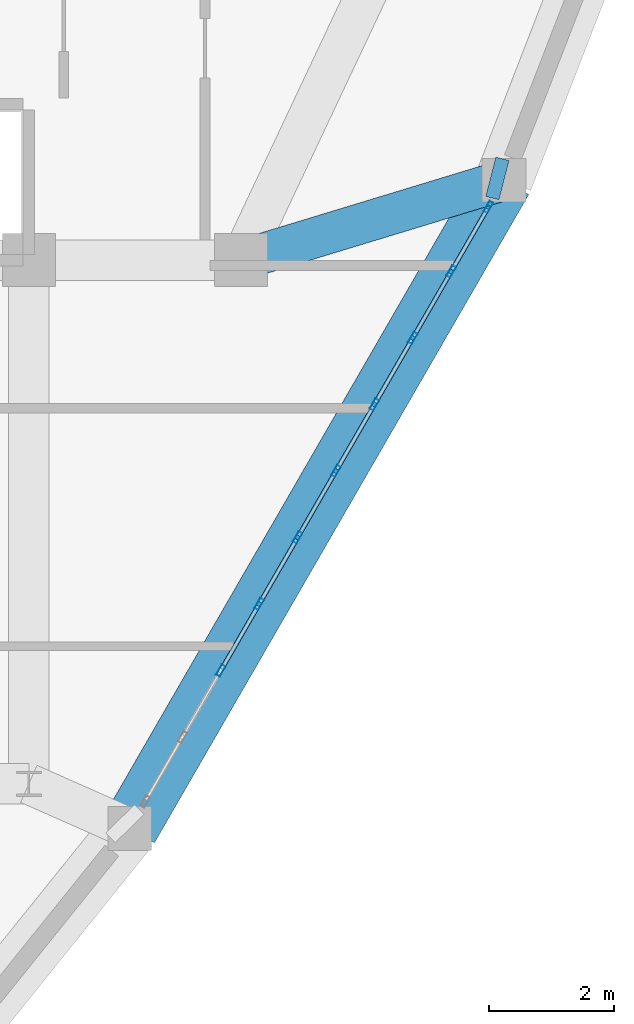
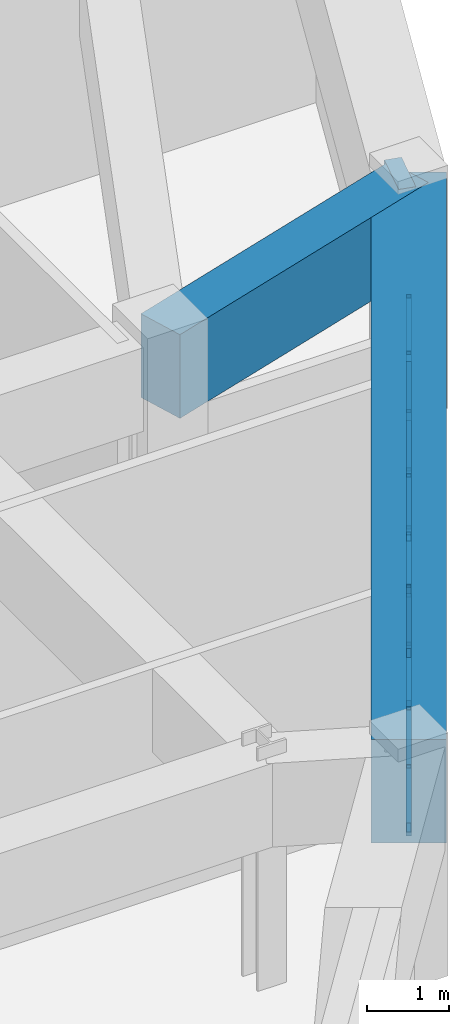
# One storey, part 7 of 15: 24 members, 3 beams, 1 element without a shape of its own.
"""IFC4 building model written with IfcOpenShell, lengths in metres."""

from ifc_helpers import new_model, si_unit, derived_unit, direction, frame, origin, origin_2d, place, context, subcontext, project, spatial, rectangle, hollow_rectangle, extrude, source, transform, mapped, material, layer, layer_set, material_profile, profile_set, type_object, element, aggregate, save


model = new_model("IFC4")

# Units and contexts
model_context = context("Model", 3, precision=1e-05, world=origin(), true_north=direction((0.0, 1.0)))
body_context = subcontext(model_context, "Body", "Model", "MODEL_VIEW")
ifc_project = project(units=[si_unit("LENGTHUNIT", "METRE"), si_unit("AREAUNIT", "SQUARE_METRE"), si_unit("VOLUMEUNIT", "CUBIC_METRE"), si_unit("PLANEANGLEUNIT", "RADIAN"), si_unit("MASSUNIT", "GRAM", prefix="KILO"), derived_unit("THERMALTRANSMITTANCEUNIT", [(si_unit("POWERUNIT", "WATT"), 1), (si_unit("LENGTHUNIT", "METRE"), -2), (si_unit("THERMODYNAMICTEMPERATUREUNIT", "KELVIN"), -1)])], contexts=[model_context])

# Site, building, storey
site_placement = place(None, origin())
site = spatial("IfcSite", under=ifc_project, at=site_placement, CompositionType="ELEMENT")
building_placement = place(site_placement, origin())
building = spatial("IfcBuilding", under=site, at=building_placement, Name="Korsvarv Bourse and Concert Hall", CompositionType="ELEMENT")
storey_placement = place(building_placement, frame((0.0, 0.0, 250.199951171875)))
storey = spatial("IfcBuildingStorey", under=building, at=storey_placement, Name="L65", CompositionType="ELEMENT", Elevation=250.199951171875)

# Beams
ifc_material_1 = material(Name="Concrete C50/60", Category="concrete")
ifc_material_profile_1 = material_profile(ifc_material_1, rectangle(XDim=0.919921875, YDim=1.530029296875, at=origin_2d()), Name="RC-BM 920x1530")
ifc_profile_set_1 = profile_set([ifc_material_profile_1], Name="Concrete C50/60")
beam_type_1 = type_object("IfcBeamType", Name="BM-TR-154", PredefinedType="BEAM", material=ifc_profile_set_1)
shared_shape_1 = source(origin(), body_context, "Body", "SweptSolid", [
    extrude(rectangle(XDim=0.919921875, YDim=1.530029296875, at=origin_2d()), origin(), (0.0, 0.0, 1.0), 12.0087890625),
])
beam_1_placement = place(storey_placement, frame((46.0166015625, 23.28369140625, 2.64501953125), z_axis=(0.500000506726, 0.866025111226, 0.0), x_axis=(-0.866025111226, 0.500000506726, 0.0)))
element("IfcBeam", 1, at=beam_1_placement, inside=storey, type_object=beam_type_1, Name="L65 beam B-TR6", PredefinedType="BEAM", context=body_context, shape_type="MappedRepresentation", body=[
    mapped(shared_shape_1, transform((0.0, 0.0, 0.0), scale=1.0)),
])
ifc_material_profile_2 = material_profile(ifc_material_1, rectangle(XDim=0.64990234375, YDim=1.239990234375, at=origin_2d()), Name="RC-BM 650x1240")
ifc_profile_set_2 = profile_set([ifc_material_profile_2], Name="Concrete C50/60")
beam_type_2 = type_object("IfcBeamType", Name="BM-TR-SPN", PredefinedType="BEAM", material=ifc_profile_set_2)
shared_shape_2 = source(origin(), body_context, "Body", "SweptSolid", [
    extrude(rectangle(XDim=0.64990234375, YDim=1.239990234375, at=origin_2d()), origin(), (0.0, 0.0, 1.0), 4.411865234375),
])
beam_2_placement = place(storey_placement, frame((52.02099609375, 33.68359375, 2.7900390625), z_axis=(-0.956733506354, -0.290965629962, 0.0), x_axis=(0.290965629962, -0.956733506354, 0.0)))
element("IfcBeam", 2, at=beam_2_placement, inside=storey, type_object=beam_type_2, Name="L65 beam B-TRS", PredefinedType="BEAM", context=body_context, shape_type="MappedRepresentation", body=[
    mapped(shared_shape_2, transform((0.0, 0.0, 0.0), scale=1.0)),
])
shared_shape_3 = source(origin(), body_context, "Body", "SweptSolid", [
    extrude(rectangle(XDim=0.64990234375, YDim=1.239990234375, at=origin_2d()), origin(), (0.0, 0.0, 1.0), 0.218017578125),
])
beam_3_placement = place(storey_placement, frame((52.02099609375, 33.68359375, 2.7900390625), z_axis=(-0.968608578466, 0.248590872161, 0.0), x_axis=(-0.248590872161, -0.968608578466, 0.0)))
element("IfcBeam", 3, at=beam_3_placement, inside=storey, type_object=beam_type_2, Name="L65 beam B-TRS", PredefinedType="BEAM", context=body_context, shape_type="MappedRepresentation", body=[
    mapped(shared_shape_3, transform((0.0, 0.0, 0.0), scale=1.0)),
])

# Curtain wall, members
ifc_material_2 = material(Name="Anodised aluminium and triple low-E glazing", Category="glass")
ifc_layer = layer(ifc_material_2, 0.199951171875)
ifc_layer_set = layer_set([ifc_layer], Name="Anodised aluminium and triple low-E glazing")
curtain_wall_type = type_object("IfcCurtainWallType", Name="CW-SYS-3", PredefinedType="NOTDEFINED", material=ifc_layer_set)
curtain_wall_placement = place(storey_placement, origin())
curtain_wall = element("IfcCurtainWall", 4, at=curtain_wall_placement, inside=storey, type_object=curtain_wall_type, Name="L65 CW3 curtain wall CW-L65-F11", PredefinedType="NOTDEFINED")
ifc_material_3 = material(Name="Extruded aluminium EN AW-6063 T66", Category="aluminium")
ifc_material_profile_3 = material_profile(ifc_material_3, hollow_rectangle(XDim=0.070068359375, YDim=0.18994140625, WallThickness=0.0048828125, at=origin_2d()), Name="ALU-M 70x190")
ifc_profile_set_3 = profile_set([ifc_material_profile_3], Name="Extruded aluminium EN AW-6063 T66")
member_type_1 = type_object("IfcMemberType", Name="CWM-190", PredefinedType="MULLION", material=ifc_profile_set_3)
shared_shape_4 = source(origin(), body_context, "Body", "SweptSolid", [
    extrude(hollow_rectangle(XDim=0.070068359375, YDim=0.18994140625, WallThickness=0.0048828125, at=origin_2d()), origin(), (0.0, 0.0, 1.0), 1.880126953125),
])
member_1_placement = place(storey_placement, frame((47.47900390625, 25.81689453125, 0.0), z_axis=(0.0, 0.0, 1.0), x_axis=(-0.866021686907, 0.500006437765, 0.0)))
member_1 = element("IfcMember", 5, at=member_1_placement, type_object=member_type_1, Name="CW3 mullion 3", PredefinedType="MULLION", context=body_context, shape_type="MappedRepresentation", body=[
    mapped(shared_shape_4, transform((0.0, 0.0, 0.0), scale=1.0)),
])
member_2_placement = place(storey_placement, frame((48.094970703125, 26.883544921875, 0.0), z_axis=(0.0, 0.0, 1.0), x_axis=(-0.866021686907, 0.500006437765, 0.0)))
member_2 = element("IfcMember", 6, at=member_2_placement, type_object=member_type_1, Name="CW3 mullion 4", PredefinedType="MULLION", context=body_context, shape_type="MappedRepresentation", body=[
    mapped(shared_shape_4, transform((0.0, 0.0, 0.0), scale=1.0)),
])
member_3_placement = place(storey_placement, frame((48.710693359375, 27.950439453125, 0.0), z_axis=(0.0, 0.0, 1.0), x_axis=(-0.866021686907, 0.500006437765, 0.0)))
member_3 = element("IfcMember", 7, at=member_3_placement, type_object=member_type_1, Name="CW3 mullion 5", PredefinedType="MULLION", context=body_context, shape_type="MappedRepresentation", body=[
    mapped(shared_shape_4, transform((0.0, 0.0, 0.0), scale=1.0)),
])
member_4_placement = place(storey_placement, frame((49.32666015625, 29.01708984375, 0.0), z_axis=(0.0, 0.0, 1.0), x_axis=(-0.866021686907, 0.500006437765, 0.0)))
member_4 = element("IfcMember", 8, at=member_4_placement, type_object=member_type_1, Name="CW3 mullion 6", PredefinedType="MULLION", context=body_context, shape_type="MappedRepresentation", body=[
    mapped(shared_shape_4, transform((0.0, 0.0, 0.0), scale=1.0)),
])
member_5_placement = place(storey_placement, frame((49.9423828125, 30.083740234375, 0.0), z_axis=(0.0, 0.0, 1.0), x_axis=(-0.866021686907, 0.500006437765, 0.0)))
member_5 = element("IfcMember", 9, at=member_5_placement, type_object=member_type_1, Name="CW3 mullion 7", PredefinedType="MULLION", context=body_context, shape_type="MappedRepresentation", body=[
    mapped(shared_shape_4, transform((0.0, 0.0, 0.0), scale=1.0)),
])
member_6_placement = place(storey_placement, frame((50.558349609375, 31.150390625, 0.0), z_axis=(0.0, 0.0, 1.0), x_axis=(-0.866021686907, 0.500006437765, 0.0)))
member_6 = element("IfcMember", 10, at=member_6_placement, type_object=member_type_1, Name="CW3 mullion 8", PredefinedType="MULLION", context=body_context, shape_type="MappedRepresentation", body=[
    mapped(shared_shape_4, transform((0.0, 0.0, 0.0), scale=1.0)),
])
member_7_placement = place(storey_placement, frame((51.174072265625, 32.217041015625, 0.0), z_axis=(0.0, 0.0, 1.0), x_axis=(-0.866021686907, 0.500006437765, 0.0)))
member_7 = element("IfcMember", 11, at=member_7_placement, type_object=member_type_1, Name="CW3 mullion 9", PredefinedType="MULLION", context=body_context, shape_type="MappedRepresentation", body=[
    mapped(shared_shape_4, transform((0.0, 0.0, 0.0), scale=1.0)),
])
member_8_placement = place(storey_placement, frame((51.7724609375, 33.253173828125, 0.0), z_axis=(0.0, 0.0, 1.0), x_axis=(-0.866021686907, 0.500006437765, 0.0)))
member_8 = element("IfcMember", 12, at=member_8_placement, type_object=member_type_1, Name="CW3 mullion 10", PredefinedType="MULLION", context=body_context, shape_type="MappedRepresentation", body=[
    mapped(shared_shape_4, transform((0.0, 0.0, 0.0), scale=1.0)),
])
ifc_material_profile_4 = material_profile(ifc_material_3, hollow_rectangle(XDim=0.06494140625, YDim=0.139892578125, WallThickness=0.00390625, at=origin_2d()), Name="ALU-T 65x140")
ifc_profile_set_4 = profile_set([ifc_material_profile_4], Name="Extruded aluminium EN AW-6063 T66")
member_type_2 = type_object("IfcMemberType", Name="CWT-140", PredefinedType="USERDEFINED", material=ifc_profile_set_4)
shared_shape_5 = source(origin(), body_context, "Body", "SweptSolid", [
    extrude(hollow_rectangle(XDim=0.06494140625, YDim=0.139892578125, WallThickness=0.00390625, at=origin_2d()), origin(), (0.0, 0.0, 1.0), 1.12646484375),
])
member_9_placement = place(storey_placement, frame((51.191650390625, 32.247314453125, 0.032470703125), z_axis=(0.499985098601, 0.86603400694, 0.0), x_axis=(-0.86603400694, 0.499985098601, 0.0)))
member_9 = element("IfcMember", 13, at=member_9_placement, type_object=member_type_2, Name="CW3 transom 9.1", ObjectType="TRANSOM", PredefinedType="USERDEFINED", context=body_context, shape_type="MappedRepresentation", body=[
    mapped(shared_shape_5, transform((0.0, 0.0, 0.0), scale=1.0)),
])
member_10_placement = place(storey_placement, frame((51.191650390625, 32.247314453125, 1.84765625), z_axis=(0.499985098601, 0.86603400694, 0.0), x_axis=(-0.86603400694, 0.499985098601, 0.0)))
member_10 = element("IfcMember", 14, at=member_10_placement, type_object=member_type_2, Name="CW3 transom 9.2", ObjectType="TRANSOM", PredefinedType="USERDEFINED", context=body_context, shape_type="MappedRepresentation", body=[
    mapped(shared_shape_5, transform((0.0, 0.0, 0.0), scale=1.0)),
])
shared_shape_6 = source(origin(), body_context, "Body", "SweptSolid", [
    extrude(hollow_rectangle(XDim=0.06494140625, YDim=0.139892578125, WallThickness=0.00390625, at=origin_2d()), origin(), (0.0, 0.0, 1.0), 1.16162109375),
])
member_11_placement = place(storey_placement, frame((47.49658203125, 25.847412109375, 0.032470703125), z_axis=(0.500049955442, 0.865996560076, 0.0), x_axis=(-0.865996560076, 0.500049955442, 0.0)))
member_11 = element("IfcMember", 15, at=member_11_placement, type_object=member_type_2, Name="CW3 transom 3.1", ObjectType="TRANSOM", PredefinedType="USERDEFINED", context=body_context, shape_type="MappedRepresentation", body=[
    mapped(shared_shape_6, transform((0.0, 0.0, 0.0), scale=1.0)),
])
member_12_placement = place(storey_placement, frame((47.49658203125, 25.847412109375, 1.84765625), z_axis=(0.500049955442, 0.865996560076, 0.0), x_axis=(-0.865996560076, 0.500049955442, 0.0)))
member_12 = element("IfcMember", 16, at=member_12_placement, type_object=member_type_2, Name="CW3 transom 3.2", ObjectType="TRANSOM", PredefinedType="USERDEFINED", context=body_context, shape_type="MappedRepresentation", body=[
    mapped(shared_shape_6, transform((0.0, 0.0, 0.0), scale=1.0)),
])
member_13_placement = place(storey_placement, frame((48.112548828125, 26.9140625, 0.032470703125), z_axis=(0.500049955442, 0.865996560076, 0.0), x_axis=(-0.865996560076, 0.500049955442, 0.0)))
member_13 = element("IfcMember", 17, at=member_13_placement, type_object=member_type_2, Name="CW3 transom 4.1", ObjectType="TRANSOM", PredefinedType="USERDEFINED", context=body_context, shape_type="MappedRepresentation", body=[
    mapped(shared_shape_6, transform((0.0, 0.0, 0.0), scale=1.0)),
])
member_14_placement = place(storey_placement, frame((48.112548828125, 26.9140625, 1.84765625), z_axis=(0.500049955442, 0.865996560076, 0.0), x_axis=(-0.865996560076, 0.500049955442, 0.0)))
member_14 = element("IfcMember", 18, at=member_14_placement, type_object=member_type_2, Name="CW3 transom 4.2", ObjectType="TRANSOM", PredefinedType="USERDEFINED", context=body_context, shape_type="MappedRepresentation", body=[
    mapped(shared_shape_6, transform((0.0, 0.0, 0.0), scale=1.0)),
])
member_15_placement = place(storey_placement, frame((48.728271484375, 27.980712890625, 0.032470703125), z_axis=(0.500049955442, 0.865996560076, 0.0), x_axis=(-0.865996560076, 0.500049955442, 0.0)))
member_15 = element("IfcMember", 19, at=member_15_placement, type_object=member_type_2, Name="CW3 transom 5.1", ObjectType="TRANSOM", PredefinedType="USERDEFINED", context=body_context, shape_type="MappedRepresentation", body=[
    mapped(shared_shape_6, transform((0.0, 0.0, 0.0), scale=1.0)),
])
member_16_placement = place(storey_placement, frame((48.728271484375, 27.980712890625, 1.84765625), z_axis=(0.500049955442, 0.865996560076, 0.0), x_axis=(-0.865996560076, 0.500049955442, 0.0)))
member_16 = element("IfcMember", 20, at=member_16_placement, type_object=member_type_2, Name="CW3 transom 5.2", ObjectType="TRANSOM", PredefinedType="USERDEFINED", context=body_context, shape_type="MappedRepresentation", body=[
    mapped(shared_shape_6, transform((0.0, 0.0, 0.0), scale=1.0)),
])
member_17_placement = place(storey_placement, frame((49.34423828125, 29.04736328125, 0.032470703125), z_axis=(0.500049955442, 0.865996560076, 0.0), x_axis=(-0.865996560076, 0.500049955442, 0.0)))
member_17 = element("IfcMember", 21, at=member_17_placement, type_object=member_type_2, Name="CW3 transom 6.1", ObjectType="TRANSOM", PredefinedType="USERDEFINED", context=body_context, shape_type="MappedRepresentation", body=[
    mapped(shared_shape_6, transform((0.0, 0.0, 0.0), scale=1.0)),
])
member_18_placement = place(storey_placement, frame((49.34423828125, 29.04736328125, 1.84765625), z_axis=(0.500049955442, 0.865996560076, 0.0), x_axis=(-0.865996560076, 0.500049955442, 0.0)))
member_18 = element("IfcMember", 22, at=member_18_placement, type_object=member_type_2, Name="CW3 transom 6.2", ObjectType="TRANSOM", PredefinedType="USERDEFINED", context=body_context, shape_type="MappedRepresentation", body=[
    mapped(shared_shape_6, transform((0.0, 0.0, 0.0), scale=1.0)),
])
member_19_placement = place(storey_placement, frame((49.9599609375, 30.114013671875, 0.032470703125), z_axis=(0.500049955442, 0.865996560076, 0.0), x_axis=(-0.865996560076, 0.500049955442, 0.0)))
member_19 = element("IfcMember", 23, at=member_19_placement, type_object=member_type_2, Name="CW3 transom 7.1", ObjectType="TRANSOM", PredefinedType="USERDEFINED", context=body_context, shape_type="MappedRepresentation", body=[
    mapped(shared_shape_6, transform((0.0, 0.0, 0.0), scale=1.0)),
])
member_20_placement = place(storey_placement, frame((49.9599609375, 30.114013671875, 1.84765625), z_axis=(0.500049955442, 0.865996560076, 0.0), x_axis=(-0.865996560076, 0.500049955442, 0.0)))
member_20 = element("IfcMember", 24, at=member_20_placement, type_object=member_type_2, Name="CW3 transom 7.2", ObjectType="TRANSOM", PredefinedType="USERDEFINED", context=body_context, shape_type="MappedRepresentation", body=[
    mapped(shared_shape_6, transform((0.0, 0.0, 0.0), scale=1.0)),
])
member_21_placement = place(storey_placement, frame((50.575927734375, 31.1806640625, 0.032470703125), z_axis=(0.500049955442, 0.865996560076, 0.0), x_axis=(-0.865996560076, 0.500049955442, 0.0)))
member_21 = element("IfcMember", 25, at=member_21_placement, type_object=member_type_2, Name="CW3 transom 8.1", ObjectType="TRANSOM", PredefinedType="USERDEFINED", context=body_context, shape_type="MappedRepresentation", body=[
    mapped(shared_shape_6, transform((0.0, 0.0, 0.0), scale=1.0)),
])
member_22_placement = place(storey_placement, frame((50.575927734375, 31.1806640625, 1.84765625), z_axis=(0.500049955442, 0.865996560076, 0.0), x_axis=(-0.865996560076, 0.500049955442, 0.0)))
member_22 = element("IfcMember", 26, at=member_22_placement, type_object=member_type_2, Name="CW3 transom 8.2", ObjectType="TRANSOM", PredefinedType="USERDEFINED", context=body_context, shape_type="MappedRepresentation", body=[
    mapped(shared_shape_6, transform((0.0, 0.0, 0.0), scale=1.0)),
])
ifc_material_profile_5 = material_profile(ifc_material_3, hollow_rectangle(XDim=0.06494140625, YDim=0.1650390625, WallThickness=0.0048828125, at=origin_2d()), Name="ALU-M 65x165")
ifc_profile_set_5 = profile_set([ifc_material_profile_5], Name="Extruded aluminium EN AW-6063 T66")
member_type_3 = type_object("IfcMemberType", Name="CWM-165", PredefinedType="MULLION", material=ifc_profile_set_5)
shared_shape_7 = source(origin(), body_context, "Body", "SweptSolid", [
    extrude(hollow_rectangle(XDim=0.06494140625, YDim=0.1650390625, WallThickness=0.0048828125, at=origin_2d()), origin(), (0.0, 0.0, 1.0), 2.100341796875),
])
member_23_placement = place(storey_placement, frame((49.30908203125, 28.986572265625, 0.06494140625), z_axis=(-0.276526480814, -0.478894115575, 0.833182771951), x_axis=(0.865996560076, -0.500049955442, 0.0)))
member_23 = element("IfcMember", 27, at=member_23_placement, type_object=member_type_3, Name="CW3 diagonal mullion 5", PredefinedType="MULLION", context=body_context, shape_type="MappedRepresentation", body=[
    mapped(shared_shape_7, transform((0.0, 0.0, 0.0), scale=1.0)),
])
member_24_placement = place(storey_placement, frame((50.575927734375, 31.1806640625, 0.06494140625), z_axis=(0.276526480814, 0.478894115575, 0.833182771951), x_axis=(-0.865996560076, 0.500049955442, 0.0)))
member_24 = element("IfcMember", 28, at=member_24_placement, type_object=member_type_3, Name="CW3 diagonal mullion 8", PredefinedType="MULLION", context=body_context, shape_type="MappedRepresentation", body=[
    mapped(shared_shape_7, transform((0.0, 0.0, 0.0), scale=1.0)),
])
aggregate(curtain_wall, [member_1, member_2, member_3, member_4, member_5, member_6, member_7, member_8, member_11, member_12, member_13, member_14, member_15, member_16, member_23, member_17, member_18, member_19, member_20, member_21, member_22, member_24, member_9, member_10])

save(model, "model.ifc")
